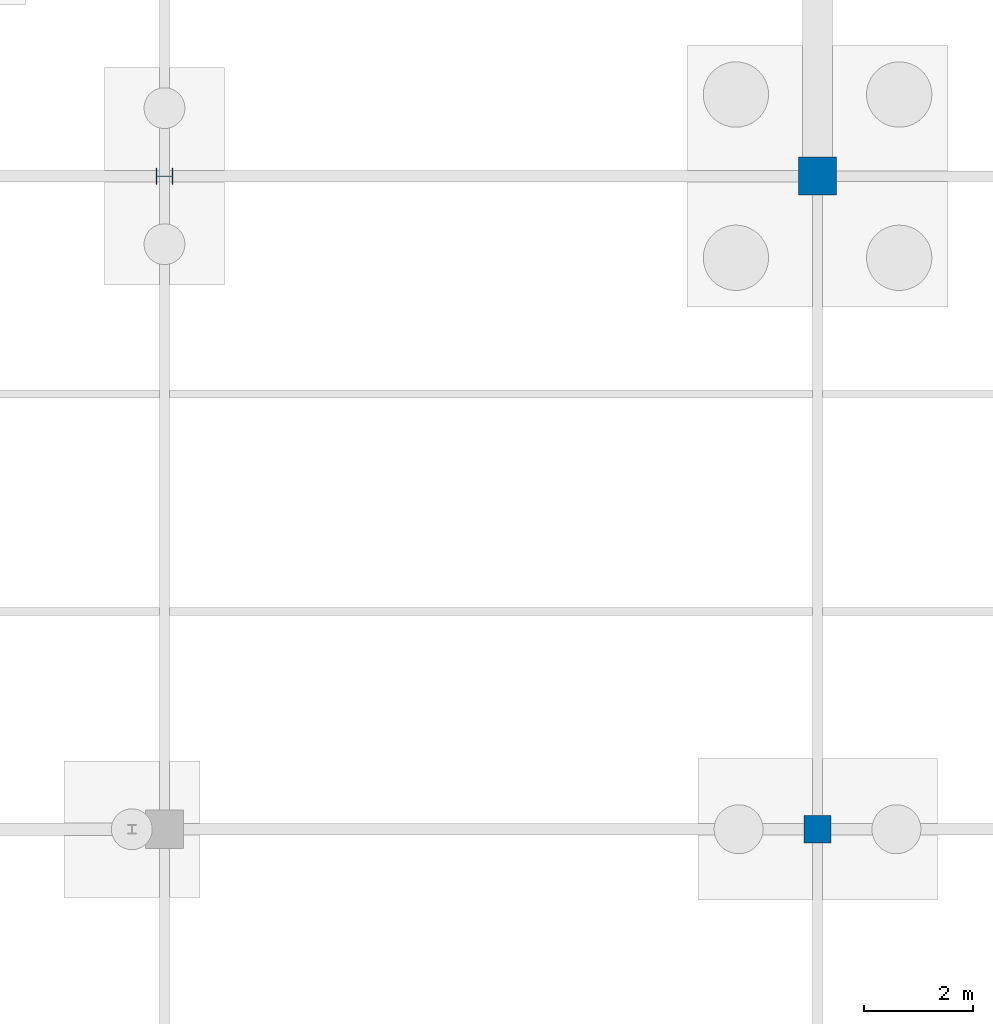
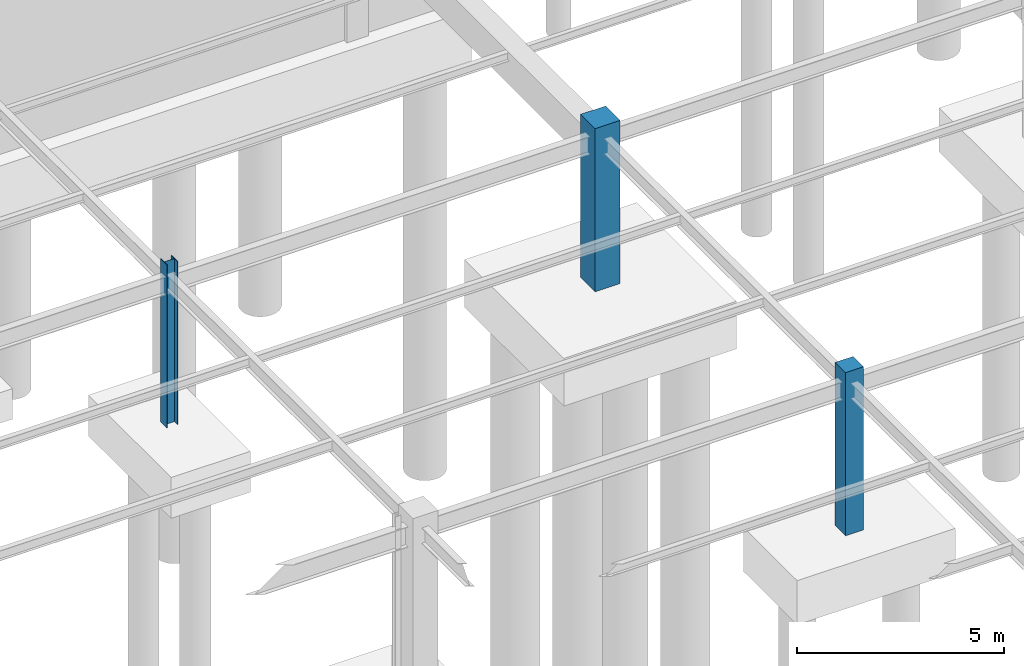
# One storey, part 60 of 136: 3 columns.
"""IFC4 building model written with IfcOpenShell, lengths in metres."""

from ifc_helpers import new_model, si_unit, direction, frame, origin, origin_2d, place, context, subcontext, project, spatial, rectangle, i_section, extrude, material, material_profile, profile_set, type_object, element, save


model = new_model("IFC4")

# Units and contexts
model_context = context("Model", 3, precision=1e-05, world=origin(), true_north=direction((0.0, 1.0)))
body_context = subcontext(model_context, "Body", "Model", "MODEL_VIEW")
ifc_project = project(units=[si_unit("LENGTHUNIT", "METRE"), si_unit("AREAUNIT", "SQUARE_METRE"), si_unit("VOLUMEUNIT", "CUBIC_METRE"), si_unit("PLANEANGLEUNIT", "RADIAN"), si_unit("MASSUNIT", "GRAM", prefix="KILO")], contexts=[model_context])

# Site, building, storey
site_placement = place(None, origin())
site = spatial("IfcSite", under=ifc_project, at=site_placement, CompositionType="ELEMENT")
building_placement = place(site_placement, origin())
building = spatial("IfcBuilding", under=site, at=building_placement, Name="Tarnwether General Hospital", CompositionType="ELEMENT")
storey_placement = place(building_placement, frame((0.0, 0.0, -4.800048828125)))
storey = spatial("IfcBuildingStorey", under=building, at=storey_placement, Name="LG", CompositionType="ELEMENT", Elevation=-4.800048828125)

# Columns
ifc_material_1 = material(Name="Steel Grade 350 (350 MPa)", Category="steel")
ifc_material_profile_1 = material_profile(ifc_material_1, i_section(OverallWidth=0.304931640625, OverallDepth=0.30810546875, WebThickness=0.010009765625, FlangeThickness=0.015380859375, at=origin_2d()), Name="310UC96.8")
ifc_profile_set_1 = profile_set([ifc_material_profile_1], Name="Steel Grade 350 (350 MPa)")
column_type_1 = type_object("IfcColumnType", Name="COL-08", PredefinedType="COLUMN", material=ifc_profile_set_1)
column_1_placement = place(storey_placement, frame((156.0, 81.60009765625, 0.0), z_axis=(0.0, 0.0, 1.0), x_axis=(0.0, 1.0, 0.0)))
element("IfcColumn", 1, at=column_1_placement, inside=storey, type_object=column_type_1, Name="Column COLG-LG-15600_8160", PredefinedType="COLUMN", context=body_context, shape_type="SweptSolid", body=[
    extrude(i_section(OverallWidth=0.304931640625, OverallDepth=0.30810546875, WebThickness=0.010009765625, FlangeThickness=0.015380859375, at=origin_2d()), origin(), (0.0, 0.0, 1.0), 4.800048828125),
])
ifc_material_2 = material(Name="Concrete 50 MPa", Category="concrete")
ifc_material_profile_2 = material_profile(ifc_material_2, rectangle(XDim=0.699951171875, YDim=0.699951171875, at=origin_2d()), Name="RC-COL-700x700")
ifc_profile_set_2 = profile_set([ifc_material_profile_2], Name="Concrete 50 MPa")
column_type_2 = type_object("IfcColumnType", Name="COL-18", PredefinedType="COLUMN", material=ifc_profile_set_2)
column_2_placement = place(storey_placement, frame((168.0, 81.60009765625, 0.0), z_axis=(0.0, 0.0, 1.0), x_axis=(1.0, 0.0, 0.0)))
element("IfcColumn", 2, at=column_2_placement, inside=storey, type_object=column_type_2, Name="Column COLG-LG-16800_8160", PredefinedType="COLUMN", context=body_context, shape_type="SweptSolid", body=[
    extrude(rectangle(XDim=0.699951171875, YDim=0.699951171875, at=origin_2d()), origin(), (0.0, 0.0, 1.0), 4.800048828125),
])
ifc_material_3 = material(Name="Concrete 50 MPa", Category="concrete")
ifc_material_profile_3 = material_profile(ifc_material_3, rectangle(XDim=0.5, YDim=0.5, at=origin_2d()), Name="RC-COL-500x500")
ifc_profile_set_3 = profile_set([ifc_material_profile_3], Name="Concrete 50 MPa")
column_type_3 = type_object("IfcColumnType", Name="COL-20", PredefinedType="COLUMN", material=ifc_profile_set_3)
column_3_placement = place(storey_placement, frame((168.0, 69.60009765625, 0.0), z_axis=(0.0, 0.0, 1.0), x_axis=(1.0, 0.0, 0.0)))
element("IfcColumn", 3, at=column_3_placement, inside=storey, type_object=column_type_3, Name="Column COLG-LG-16800_6960", PredefinedType="COLUMN", context=body_context, shape_type="SweptSolid", body=[
    extrude(rectangle(XDim=0.5, YDim=0.5, at=origin_2d()), origin(), (0.0, 0.0, 1.0), 4.800048828125),
])

save(model, "model.ifc")
